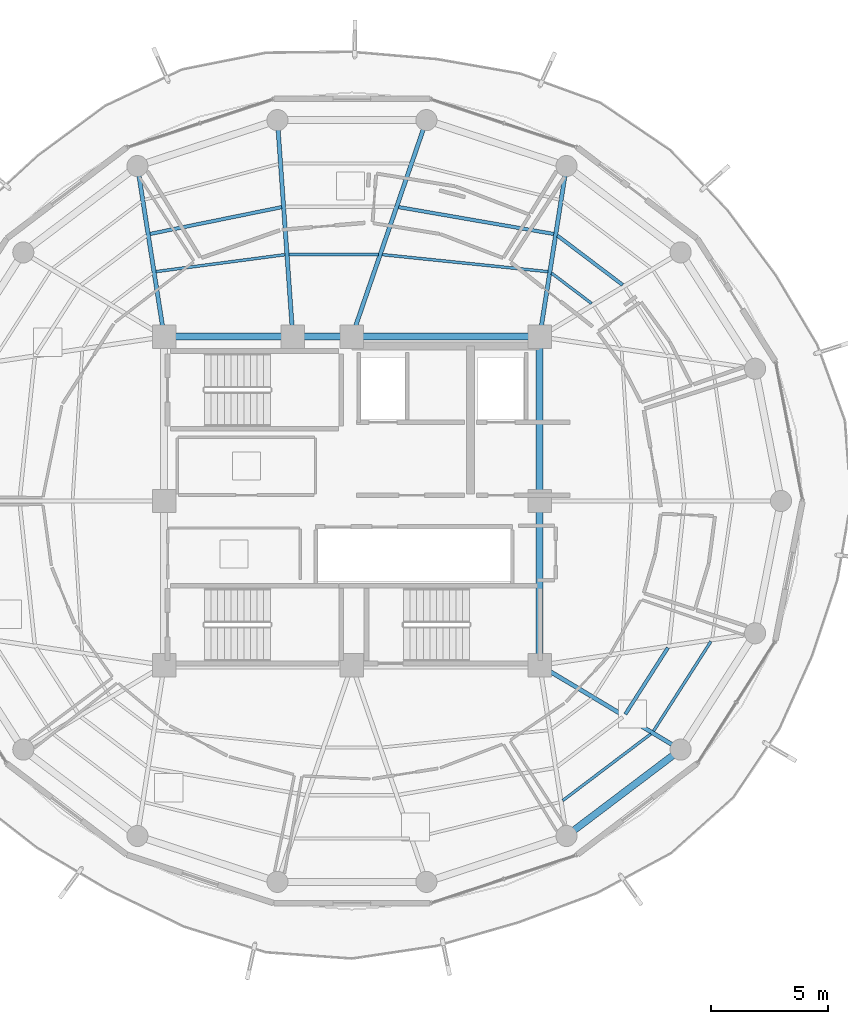
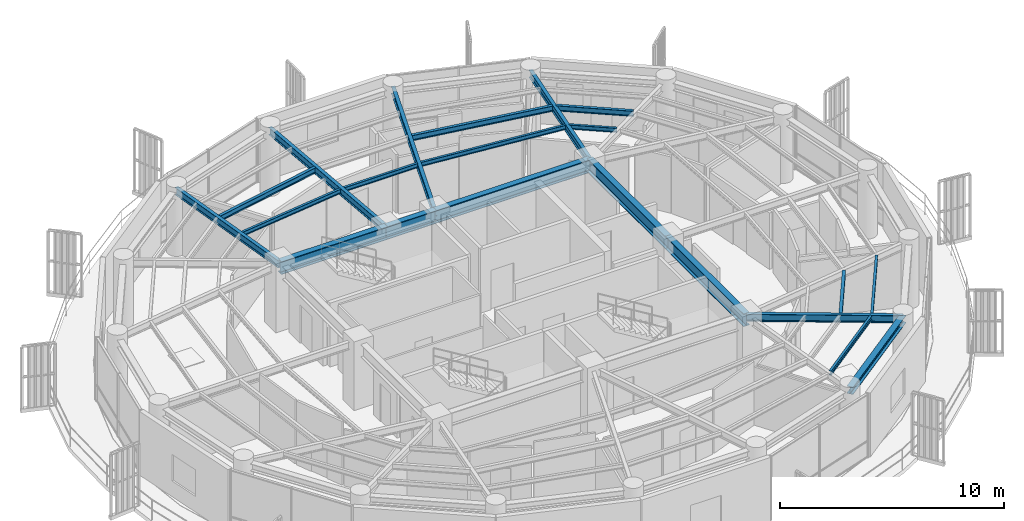
# One storey, part 8 of 22: 21 beams.
"""IFC4 building model written with IfcOpenShell, lengths in metres."""

from ifc_helpers import new_model, si_unit, direction, frame, origin, origin_2d, place, context, subcontext, project, spatial, i_section, extrude, material, material_profile, profile_set, type_object, element, save


model = new_model("IFC4")

# Units and contexts
model_context = context("Model", 3, precision=1e-05, world=origin(), true_north=direction((0.0, 1.0)))
body_context = subcontext(model_context, "Body", "Model", "MODEL_VIEW")
ifc_project = project(units=[si_unit("LENGTHUNIT", "METRE"), si_unit("AREAUNIT", "SQUARE_METRE"), si_unit("VOLUMEUNIT", "CUBIC_METRE"), si_unit("PLANEANGLEUNIT", "RADIAN"), si_unit("MASSUNIT", "GRAM", prefix="KILO")], contexts=[model_context])

# Site, building, storey
site_placement = place(None, origin())
site = spatial("IfcSite", under=ifc_project, at=site_placement, CompositionType="ELEMENT")
building_placement = place(site_placement, origin())
building = spatial("IfcBuilding", under=site, at=building_placement, Name="Kelanora Arch Commons", CompositionType="ELEMENT")
storey_placement = place(building_placement, frame((0.0, 0.0, 259.949951171875)))
storey = spatial("IfcBuildingStorey", under=building, at=storey_placement, Name="L66", CompositionType="ELEMENT", Elevation=259.949951171875)

# Beams
ifc_material = material(Name="Steel S355", Category="steel")
ifc_material_profile_1 = material_profile(ifc_material, i_section(OverallWidth=0.300048828125, OverallDepth=0.699951171875, WebThickness=0.01708984375, FlangeThickness=0.031982421875, FilletRadius=0.027099609375, at=origin_2d()), Name="HEB700")
ifc_profile_set_1 = profile_set([ifc_material_profile_1], Name="Steel S355")
beam_type_1 = type_object("IfcBeamType", Name="BM-CORE-HDR", PredefinedType="BEAM", material=ifc_profile_set_1)
for number, where, z_axis, x_axis, name in (
    (1, (82.0, 51.0, 3.14013671875), (0.0, 1.0, 0.0), (-1.0, 0.0, 0.0), "Core Header Beam 03 L66"),
    (2, (82.0, 58.0, 3.14013671875), (0.0, 1.0, 0.0), (-1.0, 0.0, 0.0), "Core Header Beam 04 L66"),
):
    element("IfcBeam", number, at=place(storey_placement, frame(where, z_axis=z_axis, x_axis=x_axis)), inside=storey, type_object=beam_type_1, Name=name, PredefinedType="BEAM", context=body_context, shape_type="SweptSolid", body=[
        extrude(i_section(OverallWidth=0.300048828125, OverallDepth=0.699951171875, WebThickness=0.01708984375, FlangeThickness=0.031982421875, FilletRadius=0.027099609375, at=origin_2d()), origin(), (0.0, 0.0, 1.0), 7.0),
    ])
beam_1_placement = place(storey_placement, frame((82.0, 65.0, 3.14013671875), z_axis=(-1.0, 0.0, 0.0), x_axis=(0.0, -1.0, 0.0)))
element("IfcBeam", 3, at=beam_1_placement, inside=storey, type_object=beam_type_1, Name="Core Header Beam 05 L66", PredefinedType="BEAM", context=body_context, shape_type="SweptSolid", body=[
    extrude(i_section(OverallWidth=0.300048828125, OverallDepth=0.699951171875, WebThickness=0.01708984375, FlangeThickness=0.031982421875, FilletRadius=0.027099609375, at=origin_2d()), origin(), (0.0, 0.0, 1.0), 8.0),
])
beam_2_placement = place(storey_placement, frame((74.0, 65.0, 3.14013671875), z_axis=(-1.0, 0.0, 0.0), x_axis=(0.0, -1.0, 0.0)))
element("IfcBeam", 4, at=beam_2_placement, inside=storey, type_object=beam_type_1, Name="Core Header Beam 06 L66", PredefinedType="BEAM", context=body_context, shape_type="SweptSolid", body=[
    extrude(i_section(OverallWidth=0.300048828125, OverallDepth=0.699951171875, WebThickness=0.01708984375, FlangeThickness=0.031982421875, FilletRadius=0.027099609375, at=origin_2d()), origin(), (0.0, 0.0, 1.0), 2.52001953125),
])
beam_3_placement = place(storey_placement, frame((71.47998046875, 65.0, 3.14013671875), z_axis=(-1.0, 0.0, 0.0), x_axis=(0.0, -1.0, 0.0)))
element("IfcBeam", 5, at=beam_3_placement, inside=storey, type_object=beam_type_1, Name="Core Header Beam 07 L66", PredefinedType="BEAM", context=body_context, shape_type="SweptSolid", body=[
    extrude(i_section(OverallWidth=0.300048828125, OverallDepth=0.699951171875, WebThickness=0.01708984375, FlangeThickness=0.031982421875, FilletRadius=0.027099609375, at=origin_2d()), origin(), (0.0, 0.0, 1.0), 5.47998046875),
])
ifc_material_profile_2 = material_profile(ifc_material, i_section(OverallWidth=0.14990234375, OverallDepth=0.300048828125, WebThickness=0.007080078125, FlangeThickness=0.0107421875, FilletRadius=0.014892578125, at=origin_2d()), Name="IPE300")
ifc_profile_set_2 = profile_set([ifc_material_profile_2], Name="Steel S355")
beam_type_2 = type_object("IfcBeamType", Name="BM-JST-01", PredefinedType="JOIST", material=ifc_profile_set_2)
beam_4_placement = place(storey_placement, frame((85.5341796875, 67.20703125, 3.340087890625), z_axis=(-0.797499198801, 0.603320004568, 0.0), x_axis=(-0.603320004568, -0.797499198801, 0.0)))
element("IfcBeam", 6, at=beam_4_placement, inside=storey, type_object=beam_type_2, Name="Secondary Chord Joist BJB-04 L66", PredefinedType="JOIST", context=body_context, shape_type="SweptSolid", body=[
    extrude(i_section(OverallWidth=0.14990234375, OverallDepth=0.300048828125, WebThickness=0.007080078125, FlangeThickness=0.0107421875, FilletRadius=0.014892578125, at=origin_2d()), origin(), (0.0, 0.0, 1.0), 3.489013671875),
])
beam_5_placement = place(storey_placement, frame((82.60009765625, 69.377685546875, 3.340087890625), z_axis=(-0.985321568263, 0.170708544357, 0.0), x_axis=(-0.170708544357, -0.985321568263, 0.0)))
element("IfcBeam", 7, at=beam_5_placement, inside=storey, type_object=beam_type_2, Name="Secondary Chord Joist BJB-06 L66", PredefinedType="JOIST", context=body_context, shape_type="SweptSolid", body=[
    extrude(i_section(OverallWidth=0.14990234375, OverallDepth=0.300048828125, WebThickness=0.007080078125, FlangeThickness=0.0107421875, FilletRadius=0.014892578125, at=origin_2d()), origin(), (0.0, 0.0, 1.0), 6.710205078125),
])
beam_6_placement = place(storey_placement, frame((71.004150390625, 70.520751953125, 3.340087890625), z_axis=(-0.979913482255, -0.199423086165, 0.0), x_axis=(0.199423086165, -0.979913482255, 0.0)))
element("IfcBeam", 8, at=beam_6_placement, inside=storey, type_object=beam_type_2, Name="Secondary Chord Joist BJB-10 L66", PredefinedType="JOIST", context=body_context, shape_type="SweptSolid", body=[
    extrude(i_section(OverallWidth=0.14990234375, OverallDepth=0.300048828125, WebThickness=0.007080078125, FlangeThickness=0.0107421875, FilletRadius=0.014892578125, at=origin_2d()), origin(), (0.0, 0.0, 1.0), 5.7197265625),
])
beam_7_placement = place(storey_placement, frame((85.647705078125, 48.915771484375, 3.340087890625), z_axis=(0.539321586177, 0.842099891155, 0.0), x_axis=(-0.842099891155, 0.539321586177, 0.0)))
element("IfcBeam", 9, at=beam_7_placement, inside=storey, type_object=beam_type_2, Name="Secondary Chord Joist BJB-32 L66", PredefinedType="JOIST", context=body_context, shape_type="SweptSolid", body=[
    extrude(i_section(OverallWidth=0.14990234375, OverallDepth=0.300048828125, WebThickness=0.007080078125, FlangeThickness=0.0107421875, FilletRadius=0.014892578125, at=origin_2d()), origin(), (0.0, 0.0, 1.0), 3.361572265625),
])
ifc_material_profile_3 = material_profile(ifc_material, i_section(OverallWidth=0.1201171875, OverallDepth=0.239990234375, WebThickness=0.006103515625, FlangeThickness=0.009765625, FilletRadius=0.014892578125, at=origin_2d()), Name="IPE240")
ifc_profile_set_3 = profile_set([ifc_material_profile_3], Name="Steel S355")
beam_type_3 = type_object("IfcBeamType", Name="BM-JST-02", PredefinedType="JOIST", material=ifc_profile_set_3)
beam_8_placement = place(storey_placement, frame((84.21337890625, 66.416748046875, 3.3701171875), z_axis=(-0.797509883882, 0.603305880222, 0.0), x_axis=(-0.603305880222, -0.797509883882, 0.0)))
element("IfcBeam", 10, at=beam_8_placement, inside=storey, type_object=beam_type_3, Name="Secondary Chord Joist BJA-04 L66", PredefinedType="JOIST", context=body_context, shape_type="SweptSolid", body=[
    extrude(i_section(OverallWidth=0.1201171875, OverallDepth=0.239990234375, WebThickness=0.006103515625, FlangeThickness=0.009765625, FilletRadius=0.014892578125, at=origin_2d()), origin(), (0.0, 0.0, 1.0), 2.147216796875),
])
beam_9_placement = place(storey_placement, frame((82.3486328125, 67.772216796875, 3.3701171875), z_axis=(-0.994746545688, 0.102368500239, 0.0), x_axis=(-0.102368500239, -0.994746545688, 0.0)))
element("IfcBeam", 11, at=beam_9_placement, inside=storey, type_object=beam_type_3, Name="Secondary Chord Joist BJA-06 L66", PredefinedType="JOIST", context=body_context, shape_type="SweptSolid", body=[
    extrude(i_section(OverallWidth=0.1201171875, OverallDepth=0.239990234375, WebThickness=0.006103515625, FlangeThickness=0.009765625, FilletRadius=0.014892578125, at=origin_2d()), origin(), (0.0, 0.0, 1.0), 7.09521484375),
])
beam_10_placement = place(storey_placement, frame((75.12109375, 68.507080078125, 3.3701171875), z_axis=(-1.0, 0.0, 0.0), x_axis=(0.0, -1.0, 0.0)))
element("IfcBeam", 12, at=beam_10_placement, inside=storey, type_object=beam_type_3, Name="Secondary Chord Joist BJA-08 L66", PredefinedType="JOIST", context=body_context, shape_type="SweptSolid", body=[
    extrude(i_section(OverallWidth=0.1201171875, OverallDepth=0.239990234375, WebThickness=0.006103515625, FlangeThickness=0.009765625, FilletRadius=0.014892578125, at=origin_2d()), origin(), (0.0, 0.0, 1.0), 3.8046875),
])
beam_11_placement = place(storey_placement, frame((71.147216796875, 68.49609375, 3.3701171875), z_axis=(-0.991489038745, -0.130190191832, 0.0), x_axis=(0.130190191832, -0.991489038745, 0.0)))
element("IfcBeam", 13, at=beam_11_placement, inside=storey, type_object=beam_type_3, Name="Secondary Chord Joist BJA-10 L66", PredefinedType="JOIST", context=body_context, shape_type="SweptSolid", body=[
    extrude(i_section(OverallWidth=0.1201171875, OverallDepth=0.239990234375, WebThickness=0.006103515625, FlangeThickness=0.009765625, FilletRadius=0.014892578125, at=origin_2d()), origin(), (0.0, 0.0, 1.0), 5.543212890625),
])
beam_12_placement = place(storey_placement, frame((82.979736328125, 45.233642578125, 3.3701171875), z_axis=(0.79752302984, 0.60328850219, 0.0), x_axis=(-0.60328850219, 0.79752302984, 0.0)))
element("IfcBeam", 14, at=beam_12_placement, inside=storey, type_object=beam_type_3, Name="Secondary Chord Joist BJC-30 L66", PredefinedType="JOIST", context=body_context, shape_type="SweptSolid", body=[
    extrude(i_section(OverallWidth=0.1201171875, OverallDepth=0.239990234375, WebThickness=0.006103515625, FlangeThickness=0.009765625, FilletRadius=0.014892578125, at=origin_2d()), origin(), (0.0, 0.0, 1.0), 4.70849609375),
])
beam_13_placement = place(storey_placement, frame((86.848388671875, 48.197021484375, 3.3701171875), z_axis=(0.539288735289, 0.842120929552, 0.0), x_axis=(-0.842120929552, 0.539288735289, 0.0)))
element("IfcBeam", 15, at=beam_13_placement, inside=storey, type_object=beam_type_3, Name="Secondary Chord Joist BJC-32 L66", PredefinedType="JOIST", context=body_context, shape_type="SweptSolid", body=[
    extrude(i_section(OverallWidth=0.1201171875, OverallDepth=0.239990234375, WebThickness=0.006103515625, FlangeThickness=0.009765625, FilletRadius=0.014892578125, at=origin_2d()), origin(), (0.0, 0.0, 1.0), 4.538818359375),
])
ifc_material_profile_4 = material_profile(ifc_material, i_section(OverallWidth=0.179931640625, OverallDepth=0.39990234375, WebThickness=0.008544921875, FlangeThickness=0.013427734375, FilletRadius=0.02099609375, at=origin_2d()), Name="IPE400")
ifc_profile_set_4 = profile_set([ifc_material_profile_4], Name="Steel S355")
beam_type_4 = type_object("IfcBeamType", Name="BM-RAD-Z5", PredefinedType="BEAM", material=ifc_profile_set_4)
beam_14_placement = place(storey_placement, frame((82.0, 65.0, 3.2900390625), z_axis=(0.154855424129, 0.987937142544, 0.0), x_axis=(-0.987937142544, 0.154855424129, 0.0)))
element("IfcBeam", 16, at=beam_14_placement, inside=storey, type_object=beam_type_4, Name="Radial Floor Girder BR-06 L66", PredefinedType="BEAM", context=body_context, shape_type="SweptSolid", body=[
    extrude(i_section(OverallWidth=0.179931640625, OverallDepth=0.39990234375, WebThickness=0.008544921875, FlangeThickness=0.013427734375, FilletRadius=0.02099609375, at=origin_2d()), origin(), (0.0, 0.0, 1.0), 7.361083984375),
])
beam_15_placement = place(storey_placement, frame((74.0, 65.0, 3.2900390625), z_axis=(0.325233562807, 0.945633718532, 0.0), x_axis=(-0.945633718532, 0.325233562807, 0.0)))
element("IfcBeam", 17, at=beam_15_placement, inside=storey, type_object=beam_type_4, Name="Radial Floor Girder BR-08 L66", PredefinedType="BEAM", context=body_context, shape_type="SweptSolid", body=[
    extrude(i_section(OverallWidth=0.179931640625, OverallDepth=0.39990234375, WebThickness=0.008544921875, FlangeThickness=0.013427734375, FilletRadius=0.02099609375, at=origin_2d()), origin(), (0.0, 0.0, 1.0), 9.760009765625),
])
beam_16_placement = place(storey_placement, frame((71.47998046875, 65.0, 3.2900390625), z_axis=(-0.070714497892, 0.997496596379, 0.0), x_axis=(-0.997496596379, -0.070714497892, 0.0)))
element("IfcBeam", 18, at=beam_16_placement, inside=storey, type_object=beam_type_4, Name="Radial Floor Girder BR-10 L66", PredefinedType="BEAM", context=body_context, shape_type="SweptSolid", body=[
    extrude(i_section(OverallWidth=0.179931640625, OverallDepth=0.39990234375, WebThickness=0.008544921875, FlangeThickness=0.013427734375, FilletRadius=0.02099609375, at=origin_2d()), origin(), (0.0, 0.0, 1.0), 9.252685546875),
])
beam_17_placement = place(storey_placement, frame((66.0, 65.0, 3.2900390625), z_axis=(-0.154855424129, 0.987937142544, 0.0), x_axis=(-0.987937142544, -0.154855424129, 0.0)))
element("IfcBeam", 19, at=beam_17_placement, inside=storey, type_object=beam_type_4, Name="Radial Floor Girder BR-12 L66", PredefinedType="BEAM", context=body_context, shape_type="SweptSolid", body=[
    extrude(i_section(OverallWidth=0.179931640625, OverallDepth=0.39990234375, WebThickness=0.008544921875, FlangeThickness=0.013427734375, FilletRadius=0.02099609375, at=origin_2d()), origin(), (0.0, 0.0, 1.0), 7.361083984375),
])
beam_18_placement = place(storey_placement, frame((82.0, 51.0, 3.2900390625), z_axis=(0.858062005744, -0.513546097541, 0.0), x_axis=(0.513546097541, 0.858062005744, 0.0)))
element("IfcBeam", 20, at=beam_18_placement, inside=storey, type_object=beam_type_4, Name="Radial Floor Girder BR-32 L66", PredefinedType="BEAM", context=body_context, shape_type="SweptSolid", body=[
    extrude(i_section(OverallWidth=0.179931640625, OverallDepth=0.39990234375, WebThickness=0.008544921875, FlangeThickness=0.013427734375, FilletRadius=0.02099609375, at=origin_2d()), origin(), (0.0, 0.0, 1.0), 6.99658203125),
])
ifc_material_profile_5 = material_profile(ifc_material, i_section(OverallWidth=0.300048828125, OverallDepth=0.39990234375, WebThickness=0.013427734375, FlangeThickness=0.02392578125, FilletRadius=0.027099609375, at=origin_2d()), Name="HEB400")
ifc_profile_set_5 = profile_set([ifc_material_profile_5], Name="Steel S355")
beam_type_5 = type_object("IfcBeamType", Name="BM-SPN-Z4", PredefinedType="SPANDREL", material=ifc_profile_set_5)
beam_19_placement = place(storey_placement, frame((83.139892578125, 43.727783203125, 3.2900390625), z_axis=(0.797509460967, 0.603306439273, 0.0), x_axis=(-0.603306439273, 0.797509460967, 0.0)))
element("IfcBeam", 21, at=beam_19_placement, inside=storey, type_object=beam_type_5, Name="Perimeter Spandrel Beam BS-30 L66", PredefinedType="SPANDREL", context=body_context, shape_type="SweptSolid", body=[
    extrude(i_section(OverallWidth=0.300048828125, OverallDepth=0.39990234375, WebThickness=0.013427734375, FlangeThickness=0.02392578125, FilletRadius=0.027099609375, at=origin_2d()), origin(), (0.0, 0.0, 1.0), 6.098388671875),
])

save(model, "model.ifc")
